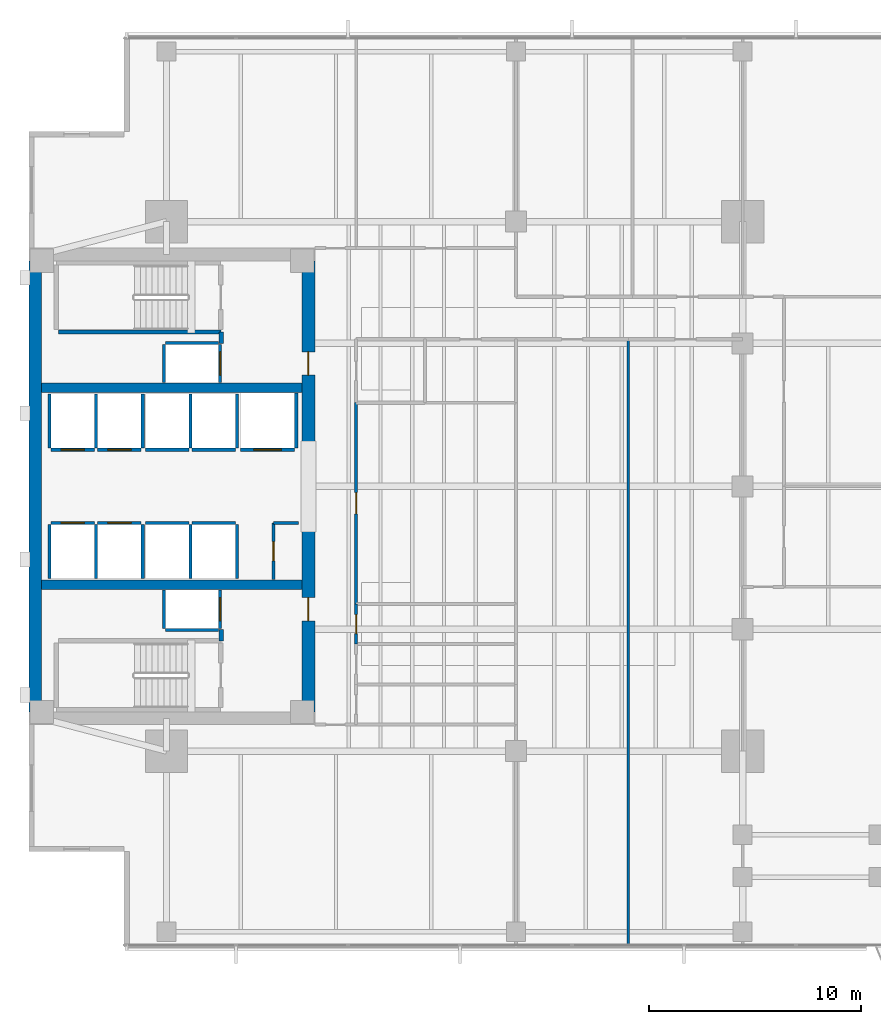
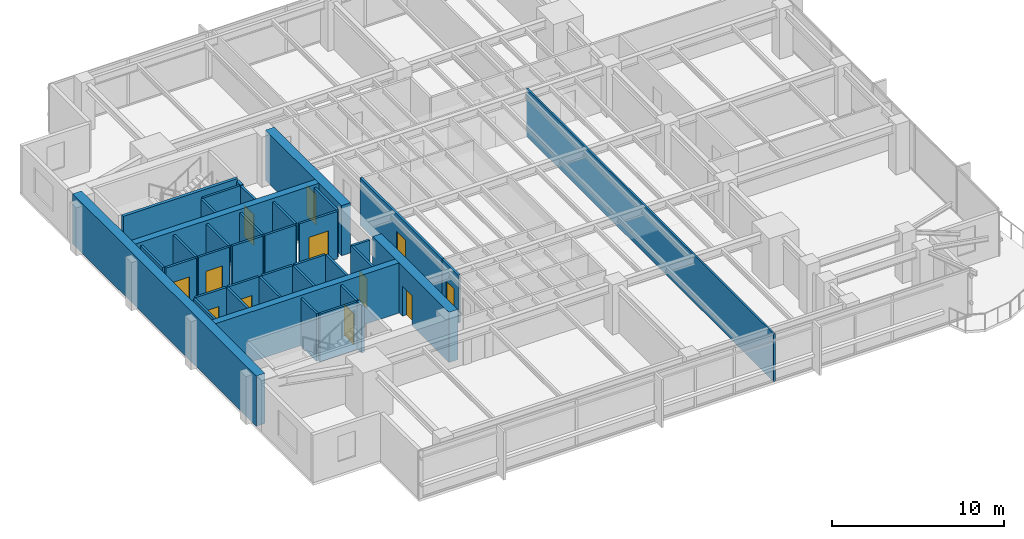
# One storey, part 8 of 14: 39 walls, 12 doors, 12 openings.
"""IFC4 building model written with IfcOpenShell, lengths in metres."""

from ifc_helpers import new_model, si_unit, direction, frame, frame_2d, origin, place, context, subcontext, project, spatial, rectangle, extrude, material, layer, layer_set, type_object, element, fill, save


model = new_model("IFC4")

# Units and contexts
model_context = context("Model", 3, precision=1e-05, world=origin(), true_north=direction((0.0, 1.0)))
body_context = subcontext(model_context, "Body", "Model", "MODEL_VIEW")
ifc_project = project(units=[si_unit("LENGTHUNIT", "METRE"), si_unit("AREAUNIT", "SQUARE_METRE"), si_unit("VOLUMEUNIT", "CUBIC_METRE"), si_unit("PLANEANGLEUNIT", "RADIAN"), si_unit("MASSUNIT", "GRAM", prefix="KILO")], contexts=[model_context])

# Site, building, storey
site_placement = place(None, origin())
site = spatial("IfcSite", under=ifc_project, at=site_placement, CompositionType="ELEMENT")
building_placement = place(site_placement, origin())
building = spatial("IfcBuilding", under=site, at=building_placement, Name="Kinhvarn Gate Tower", CompositionType="ELEMENT")
storey_placement = place(building_placement, frame((0.0, 0.0, 123.550048828125)))
storey = spatial("IfcBuildingStorey", under=building, at=storey_placement, Name="L32", CompositionType="ELEMENT", Elevation=123.550048828125)

# Walls
ifc_material_1 = material(Name="Concrete C50/60", Category="concrete")
ifc_layer_1 = layer(ifc_material_1, 0.449951171875)
ifc_layer_set_1 = layer_set([ifc_layer_1], Name="Concrete C50/60")
wall_type_1 = type_object("IfcWallType", Name="WL-CORE-450", PredefinedType="SHEAR", material=ifc_layer_set_1)
for number, where, z_axis, x_axis, name in (
    (1, (5.10009765625, 20.60009765625, 0.0), (0.0, 0.0, 1.0), (1.0, 0.0, 0.0), "Core South Spine Shear Wall L32 450 mm"),
    (2, (5.10009765625, 29.89990234375, 0.0), (0.0, 0.0, 1.0), (1.0, 0.0, 0.0), "Core North Spine Shear Wall L32 450 mm"),
):
    element("IfcWall", number, at=place(storey_placement, frame(where, z_axis=z_axis, x_axis=x_axis)), inside=storey, type_object=wall_type_1, Name=name, PredefinedType="SHEAR", context=body_context, shape_type="SweptSolid", body=[
        extrude(rectangle(XDim=12.2998046875, YDim=0.449951171875, at=frame_2d((6.14990234375, 0.0))), origin(), (0.0, 0.0, 1.0), 3.550048828125),
    ])

# Wall, opening, door
ifc_material_2 = material(Name="Concrete C60/75", Category="concrete")
ifc_layer_2 = layer(ifc_material_2, 0.60009765625)
ifc_layer_set_2 = layer_set([ifc_layer_2], Name="Concrete C60/75")
wall_type_2 = type_object("IfcWallType", Name="WL-CORE-600", PredefinedType="SHEAR", material=ifc_layer_set_2)
wall_1_placement = place(storey_placement, frame((17.699951171875, 14.60009765625, 0.0), z_axis=(0.0, 0.0, 1.0), x_axis=(0.0, 1.0, 0.0)))
wall_1 = element("IfcWall", 3, at=wall_1_placement, inside=storey, type_object=wall_type_2, Name="Core East-South Shear Pier L32 600 mm", PredefinedType="SHEAR", context=body_context, shape_type="SweptSolid", body=[
    extrude(rectangle(XDim=8.849853515625, YDim=0.60009765625, at=frame_2d((4.4248046875, 0.0))), origin(), (0.0, 0.0, 1.0), 3.550048828125),
])
opening_1_placement = place(wall_1_placement, frame((4.300048828125, 0.0, 0.0)))
opening_1 = element("IfcOpeningElement", 4, at=opening_1_placement, cuts=wall_1, Name="Opening FD-02", PredefinedType="OPENING", context=body_context, shape_type="SweptSolid", body=[
    extrude(rectangle(XDim=1.10009765625, YDim=2.14990234375, at=frame_2d((0.550048828125, 1.074951171875))), frame((0.0, 0.31005859375, 0.0), z_axis=(0.0, -1.0, 0.0), x_axis=(1.0, 0.0, 0.0)), (0.0, 0.0, 1.0), 0.6201171875),
])
ifc_material_3 = material(Name="Anodised aluminium AW-6063", Category="aluminium")
door_type_1 = type_object("IfcDoorType", Name="DR-FD-1100", OperationType="NOTDEFINED", PredefinedType="DOOR", material=ifc_material_3)
door_1_placement = place(opening_1_placement, origin())
door_1 = element("IfcDoor", 5, at=door_1_placement, inside=storey, type_object=door_type_1, Name="Firefighting Lobby Core Door (L32)", OperationType="SINGLE_SWING_RIGHT", OverallHeight=2.14990234375, OverallWidth=1.10009765625, PredefinedType="DOOR", context=body_context, shape_type="SweptSolid", body=[
    extrude(rectangle(XDim=1.10009765625, YDim=2.14990234375, at=frame_2d((0.550048828125, 1.074951171875))), frame((0.0, 0.02490234375, 0.0), z_axis=(0.0, -1.0, 0.0), x_axis=(1.0, 0.0, 0.0)), (0.0, 0.0, 1.0), 0.050048828125),
])
fill(opening_1, door_1)

wall_2_placement = place(storey_placement, frame((17.699951171875, 27.050048828125, 0.0), z_axis=(0.0, 0.0, 1.0), x_axis=(0.0, 1.0, 0.0)))
wall_2 = element("IfcWall", 6, at=wall_2_placement, inside=storey, type_object=wall_type_2, Name="Core East-North Shear Pier L32 600 mm", PredefinedType="SHEAR", context=body_context, shape_type="SweptSolid", body=[
    extrude(rectangle(XDim=8.849853515625, YDim=0.60009765625, at=frame_2d((4.4248046875, 0.0))), origin(), (0.0, 0.0, 1.0), 3.550048828125),
])
opening_2_placement = place(wall_2_placement, frame((3.449951171875, 0.0, 0.0)))
opening_2 = element("IfcOpeningElement", 7, at=opening_2_placement, cuts=wall_2, Name="Opening FD-02", PredefinedType="OPENING", context=body_context, shape_type="SweptSolid", body=[
    extrude(rectangle(XDim=1.10009765625, YDim=2.14990234375, at=frame_2d((0.550048828125, 1.074951171875))), frame((0.0, 0.31005859375, 0.0), z_axis=(0.0, -1.0, 0.0), x_axis=(1.0, 0.0, 0.0)), (0.0, 0.0, 1.0), 0.6201171875),
])
door_2_placement = place(opening_2_placement, origin())
door_2 = element("IfcDoor", 8, at=door_2_placement, inside=storey, type_object=door_type_1, Name="Firefighting Lobby Core Door (L32)", OperationType="SINGLE_SWING_LEFT", OverallHeight=2.14990234375, OverallWidth=1.10009765625, PredefinedType="DOOR", context=body_context, shape_type="SweptSolid", body=[
    extrude(rectangle(XDim=1.10009765625, YDim=2.14990234375, at=frame_2d((0.550048828125, 1.074951171875))), frame((0.0, 0.02490234375, 0.0), z_axis=(0.0, -1.0, 0.0), x_axis=(1.0, 0.0, 0.0)), (0.0, 0.0, 1.0), 0.050048828125),
])
fill(opening_2, door_2)

# Wall
ifc_layer_3 = layer(ifc_material_2, 0.60009765625)
ifc_layer_set_3 = layer_set([ifc_layer_3], Name="Concrete C60/75")
wall_type_3 = type_object("IfcWallType", Name="WL-COREX-600", PredefinedType="SHEAR", material=ifc_layer_set_3)
wall_3_placement = place(storey_placement, frame((4.800048828125, 14.60009765625, 0.0), z_axis=(0.0, 0.0, 1.0), x_axis=(0.0, 1.0, 0.0)))
element("IfcWall", 9, at=wall_3_placement, inside=storey, type_object=wall_type_3, Name="Core West Shear Wall L32 600 mm", PredefinedType="SHEAR", context=body_context, shape_type="SweptSolid", body=[
    extrude(rectangle(XDim=21.2998046875, YDim=0.60009765625, at=frame_2d((10.64990234375, 0.0))), origin(), (0.0, 0.0, 1.0), 3.550048828125),
])

# Wall, opening, door
ifc_material_4 = material(Name="Gypsum acoustic partition board")
ifc_layer_4 = layer(ifc_material_4, 0.14990234375)
ifc_layer_set_4 = layer_set([ifc_layer_4], Name="Gypsum acoustic partition board")
wall_type_4 = type_object("IfcWallType", Name="WL-PLM-150F", PredefinedType="PLUMBINGWALL", material=ifc_layer_set_4)
wall_4_placement = place(storey_placement, frame((19.949951171875, 17.800048828125, 0.0), z_axis=(0.0, 0.0, 1.0), x_axis=(0.0, 1.0, 0.0)))
wall_4 = element("IfcWall", 10, at=wall_4_placement, inside=storey, type_object=wall_type_4, Name="Interior Partition PLW-150F (L32)", PredefinedType="PLUMBINGWALL", context=body_context, shape_type="SweptSolid", body=[
    extrude(rectangle(XDim=1.89990234375, YDim=0.14990234375, at=frame_2d((0.949951171875, 0.0))), origin(), (0.0, 0.0, 1.0), 3.369873046875),
])
opening_3_placement = place(wall_4_placement, frame((0.5, 0.0, 0.0)))
opening_3 = element("IfcOpeningElement", 11, at=opening_3_placement, cuts=wall_4, Name="Opening FD-04", PredefinedType="OPENING", context=body_context, shape_type="SweptSolid", body=[
    extrude(rectangle(XDim=0.89990234375, YDim=2.10009765625, at=frame_2d((0.449951171875, 1.050048828125))), frame((0.0, 0.0849609375, 0.0), z_axis=(0.0, -1.0, 0.0), x_axis=(1.0, 0.0, 0.0)), (0.0, 0.0, 1.0), 0.169921875),
])
door_type_2 = type_object("IfcDoorType", Name="DR-FD-900", OperationType="NOTDEFINED", PredefinedType="DOOR", material=ifc_material_3)
door_3_placement = place(opening_3_placement, origin())
door_3 = element("IfcDoor", 12, at=door_3_placement, inside=storey, type_object=door_type_2, Name="Rated Riser & Service Closet Fire Door 900x2100 mm (L32)", OperationType="SINGLE_SWING_RIGHT", OverallHeight=2.10009765625, OverallWidth=0.89990234375, PredefinedType="DOOR", context=body_context, shape_type="SweptSolid", body=[
    extrude(rectangle(XDim=0.89990234375, YDim=2.10009765625, at=frame_2d((0.449951171875, 1.050048828125))), frame((0.0, 0.02490234375, 0.0), z_axis=(0.0, -1.0, 0.0), x_axis=(1.0, 0.0, 0.0)), (0.0, 0.0, 1.0), 0.050048828125),
])
fill(opening_3, door_3)

# Wall
ifc_layer_5 = layer(ifc_material_4, 0.1201171875)
ifc_layer_set_5 = layer_set([ifc_layer_5], Name="Gypsum acoustic partition board")
wall_type_5 = type_object("IfcWallType", Name="WL-PRT-120", PredefinedType="PARTITIONING", material=ifc_layer_set_5)
wall_5_placement = place(storey_placement, frame((32.800048828125, 3.510009765625, 0.0), z_axis=(0.0, 0.0, 1.0), x_axis=(0.0, 1.0, 0.0)))
element("IfcWall", 13, at=wall_5_placement, inside=storey, type_object=wall_type_5, Name="Interior Partition PW-120 (L32)", PredefinedType="PARTITIONING", context=body_context, shape_type="SweptSolid", body=[
    extrude(rectangle(XDim=28.68994140625, YDim=0.1201171875, at=frame_2d((14.344970703125, 0.0))), origin(), (0.0, 0.0, 1.0), 3.369873046875),
])

# Wall, opening, door
ifc_layer_6 = layer(ifc_material_4, 0.14990234375)
ifc_layer_set_6 = layer_set([ifc_layer_6], Name="Gypsum acoustic partition board")
wall_type_6 = type_object("IfcWallType", Name="WL-PRT-150F", PredefinedType="PARTITIONING", material=ifc_layer_set_6)
wall_6_placement = place(storey_placement, frame((16.050048828125, 20.85009765625, 0.0), z_axis=(0.0, 0.0, 1.0), x_axis=(0.0, 1.0, 0.0)))
wall_6 = element("IfcWall", 14, at=wall_6_placement, inside=storey, type_object=wall_type_6, Name="Interior Partition PW-150F (L32)", PredefinedType="PARTITIONING", context=body_context, shape_type="SweptSolid", body=[
    extrude(rectangle(XDim=2.669921875, YDim=0.14990234375, at=frame_2d((1.3349609375, 0.0))), origin(), (0.0, 0.0, 1.0), 3.369873046875),
])
opening_4_placement = place(wall_6_placement, frame((0.885009765625, 0.0, 0.0)))
opening_4 = element("IfcOpeningElement", 15, at=opening_4_placement, cuts=wall_6, Name="Opening FD-04", PredefinedType="OPENING", context=body_context, shape_type="SweptSolid", body=[
    extrude(rectangle(XDim=0.89990234375, YDim=2.10009765625, at=frame_2d((0.449951171875, 1.050048828125))), frame((0.0, 0.0849609375, 0.0), z_axis=(0.0, -1.0, 0.0), x_axis=(1.0, 0.0, 0.0)), (0.0, 0.0, 1.0), 0.169921875),
])
door_4_placement = place(opening_4_placement, origin())
door_4 = element("IfcDoor", 16, at=door_4_placement, inside=storey, type_object=door_type_2, Name="Rated Riser & Service Closet Fire Door 900x2100 mm (L32)", OperationType="SINGLE_SWING_LEFT", OverallHeight=2.10009765625, OverallWidth=0.89990234375, PredefinedType="DOOR", context=body_context, shape_type="SweptSolid", body=[
    extrude(rectangle(XDim=0.89990234375, YDim=2.10009765625, at=frame_2d((0.449951171875, 1.050048828125))), frame((0.0, 0.02490234375, 0.0), z_axis=(0.0, -1.0, 0.0), x_axis=(1.0, 0.0, 0.0)), (0.0, 0.0, 1.0), 0.050048828125),
])
fill(opening_4, door_4)

# Wall
wall_7_placement = place(storey_placement, frame((16.050048828125, 23.52001953125, 0.0), z_axis=(0.0, 0.0, 1.0), x_axis=(1.0, 0.0, 0.0)))
element("IfcWall", 17, at=wall_7_placement, inside=storey, type_object=wall_type_6, Name="Interior Partition PW-150F (L32)", PredefinedType="PARTITIONING", context=body_context, shape_type="SweptSolid", body=[
    extrude(rectangle(XDim=1.169921875, YDim=0.14990234375, at=frame_2d((0.5849609375, 0.0))), origin(), (0.0, 0.0, 1.0), 3.369873046875),
])

# Wall, opening, door
wall_8_placement = place(storey_placement, frame((19.949951171875, 19.699951171875, 0.0), z_axis=(0.0, 0.0, 1.0), x_axis=(0.0, 1.0, 0.0)))
wall_8 = element("IfcWall", 18, at=wall_8_placement, inside=storey, type_object=wall_type_6, Name="Interior Partition PW-150F (L32)", PredefinedType="PARTITIONING", context=body_context, shape_type="SweptSolid", body=[
    extrude(rectangle(XDim=9.5, YDim=0.14990234375, at=frame_2d((4.75, 0.0))), origin(), (0.0, 0.0, 1.0), 3.369873046875),
])
opening_5_placement = place(wall_8_placement, frame((4.25, 0.0, 0.0)))
opening_5 = element("IfcOpeningElement", 19, at=opening_5_placement, cuts=wall_8, Name="Opening ID-02", PredefinedType="OPENING", context=body_context, shape_type="SweptSolid", body=[
    extrude(rectangle(XDim=1.0, YDim=2.14990234375, at=frame_2d((0.5, 1.074951171875))), frame((0.0, 0.0849609375, 0.0), z_axis=(0.0, -1.0, 0.0), x_axis=(1.0, 0.0, 0.0)), (0.0, 0.0, 1.0), 0.169921875),
])
door_type_3 = type_object("IfcDoorType", Name="DR-INT-1000", OperationType="NOTDEFINED", PredefinedType="DOOR", material=ifc_material_3)
door_5_placement = place(opening_5_placement, origin())
door_5 = element("IfcDoor", 20, at=door_5_placement, inside=storey, type_object=door_type_3, Name="Standard Office & Meeting Room Door 1000x2150 mm (L32)", OperationType="SINGLE_SWING_LEFT", OverallHeight=2.14990234375, OverallWidth=1.0, PredefinedType="DOOR", context=body_context, shape_type="SweptSolid", body=[
    extrude(rectangle(XDim=1.0, YDim=2.14990234375, at=frame_2d((0.5, 1.074951171875))), frame((0.0, 0.02490234375, 0.0), z_axis=(0.0, -1.0, 0.0), x_axis=(1.0, 0.0, 0.0)), (0.0, 0.0, 1.0), 0.050048828125),
])
fill(opening_5, door_5)

# Walls
ifc_layer_7 = layer(ifc_material_4, 0.199951171875)
ifc_layer_set_7 = layer_set([ifc_layer_7], Name="Gypsum acoustic partition board")
wall_type_7 = type_object("IfcWallType", Name="WL-PRT-200", PredefinedType="PARTITIONING", material=ifc_layer_set_7)
for number, where, z_axis, x_axis, name in (
    (21, (13.580078125, 17.9599609375, 0.0), (0.0, 0.0, 1.0), (0.0, 1.0, 0.0), "Interior Partition PW-200 (L32)"),
    (22, (13.580078125, 32.0, 0.0), (0.0, 0.0, 1.0), (0.0, 1.0, 0.0), "Interior Partition PW-200 (L32)"),
):
    element("IfcWall", number, at=place(storey_placement, frame(where, z_axis=z_axis, x_axis=x_axis)), inside=storey, type_object=wall_type_7, Name=name, PredefinedType="PARTITIONING", context=body_context, shape_type="SweptSolid", body=[
        extrude(rectangle(XDim=0.5400390625, YDim=0.199951171875, at=frame_2d((0.27001953125, 0.0))), origin(), (0.0, 0.0, 1.0), 3.369873046875),
    ])

# Wall, opening, door
ifc_layer_8 = layer(ifc_material_4, 0.14990234375)
ifc_layer_set_8 = layer_set([ifc_layer_8], Name="Gypsum acoustic partition board")
wall_type_8 = type_object("IfcWallType", Name="WL-SHF-150", PredefinedType="PARTITIONING", material=ifc_layer_set_8)
wall_9_placement = place(storey_placement, frame((5.550048828125, 23.52490234375, 0.0), z_axis=(0.0, 0.0, 1.0), x_axis=(1.0, 0.0, 0.0)))
wall_9 = element("IfcWall", 23, at=wall_9_placement, inside=storey, type_object=wall_type_8, Name="Elevator PM-05 Landing Wall (L32)", PredefinedType="PARTITIONING", context=body_context, shape_type="SweptSolid", body=[
    extrude(rectangle(XDim=2.050048828125, YDim=0.14990234375, at=frame_2d((1.02490234375, 0.0))), origin(), (0.0, 0.0, 1.0), 3.369873046875),
])
opening_6_placement = place(wall_9_placement, frame((0.47509765625, 0.0, 0.0)))
opening_6 = element("IfcOpeningElement", 24, at=opening_6_placement, cuts=wall_9, Name="Opening LD-01", PredefinedType="OPENING", context=body_context, shape_type="SweptSolid", body=[
    extrude(rectangle(XDim=1.10009765625, YDim=2.199951171875, at=frame_2d((0.550048828125, 1.10009765625))), frame((0.0, 0.0849609375, 0.0), z_axis=(0.0, -1.0, 0.0), x_axis=(1.0, 0.0, 0.0)), (0.0, 0.0, 1.0), 0.169921875),
])
door_type_4 = type_object("IfcDoorType", Name="DR-LND-PAS", OperationType="NOTDEFINED", PredefinedType="DOOR", material=ifc_material_3)
door_6_placement = place(opening_6_placement, origin())
door_6 = element("IfcDoor", 25, at=door_6_placement, inside=storey, type_object=door_type_4, Name="Elevator PM-05 Sliding Landing Door (L32)", OperationType="DOUBLE_DOOR_SLIDING", OverallHeight=2.199951171875, OverallWidth=1.10009765625, PredefinedType="DOOR", context=body_context, shape_type="SweptSolid", body=[
    extrude(rectangle(XDim=1.10009765625, YDim=2.199951171875, at=frame_2d((0.550048828125, 1.10009765625))), frame((0.0, 0.02490234375, 0.0), z_axis=(0.0, -1.0, 0.0), x_axis=(1.0, 0.0, 0.0)), (0.0, 0.0, 1.0), 0.050048828125),
])
fill(opening_6, door_6)

# Walls
for number, where, z_axis, x_axis, name in (
    (26, (5.47509765625, 20.89990234375, 0.0), (0.0, 0.0, 1.0), (0.0, 1.0, 0.0), "Elevator PM-05 Hoistway Wall W (L32)"),
    (27, (7.675048828125, 20.89990234375, 0.0), (0.0, 0.0, 1.0), (0.0, 1.0, 0.0), "Elevator PM-05 Hoistway Wall E (L32)"),
):
    element("IfcWall", number, at=place(storey_placement, frame(where, z_axis=z_axis, x_axis=x_axis)), inside=storey, type_object=wall_type_8, Name=name, PredefinedType="PARTITIONING", context=body_context, shape_type="SweptSolid", body=[
        extrude(rectangle(XDim=2.550048828125, YDim=0.14990234375, at=frame_2d((1.27490234375, 0.0))), origin(), (0.0, 0.0, 1.0), 3.369873046875),
    ])

# Wall, opening, door
wall_10_placement = place(storey_placement, frame((7.75, 23.52490234375, 0.0), z_axis=(0.0, 0.0, 1.0), x_axis=(1.0, 0.0, 0.0)))
wall_10 = element("IfcWall", 28, at=wall_10_placement, inside=storey, type_object=wall_type_8, Name="Elevator PM-06 Landing Wall (L32)", PredefinedType="PARTITIONING", context=body_context, shape_type="SweptSolid", body=[
    extrude(rectangle(XDim=2.050048828125, YDim=0.14990234375, at=frame_2d((1.02490234375, 0.0))), origin(), (0.0, 0.0, 1.0), 3.369873046875),
])
opening_7_placement = place(wall_10_placement, frame((0.47509765625, 0.0, 0.0)))
opening_7 = element("IfcOpeningElement", 29, at=opening_7_placement, cuts=wall_10, Name="Opening LD-01", PredefinedType="OPENING", context=body_context, shape_type="SweptSolid", body=[
    extrude(rectangle(XDim=1.10009765625, YDim=2.199951171875, at=frame_2d((0.550048828125, 1.10009765625))), frame((0.0, 0.0849609375, 0.0), z_axis=(0.0, -1.0, 0.0), x_axis=(1.0, 0.0, 0.0)), (0.0, 0.0, 1.0), 0.169921875),
])
door_7_placement = place(opening_7_placement, origin())
door_7 = element("IfcDoor", 30, at=door_7_placement, inside=storey, type_object=door_type_4, Name="Elevator PM-06 Sliding Landing Door (L32)", OperationType="DOUBLE_DOOR_SLIDING", OverallHeight=2.199951171875, OverallWidth=1.10009765625, PredefinedType="DOOR", context=body_context, shape_type="SweptSolid", body=[
    extrude(rectangle(XDim=1.10009765625, YDim=2.199951171875, at=frame_2d((0.550048828125, 1.10009765625))), frame((0.0, 0.02490234375, 0.0), z_axis=(0.0, -1.0, 0.0), x_axis=(1.0, 0.0, 0.0)), (0.0, 0.0, 1.0), 0.050048828125),
])
fill(opening_7, door_7)

# Wall
wall_11_placement = place(storey_placement, frame((9.875, 20.89990234375, 0.0), z_axis=(0.0, 0.0, 1.0), x_axis=(0.0, 1.0, 0.0)))
element("IfcWall", 31, at=wall_11_placement, inside=storey, type_object=wall_type_8, Name="Elevator PM-06 Hoistway Wall E (L32)", PredefinedType="PARTITIONING", context=body_context, shape_type="SweptSolid", body=[
    extrude(rectangle(XDim=2.550048828125, YDim=0.14990234375, at=frame_2d((1.27490234375, 0.0))), origin(), (0.0, 0.0, 1.0), 3.369873046875),
])

# Wall, opening, door
wall_12_placement = place(storey_placement, frame((5.550048828125, 26.97509765625, 0.0), z_axis=(0.0, 0.0, 1.0), x_axis=(1.0, 0.0, 0.0)))
wall_12 = element("IfcWall", 32, at=wall_12_placement, inside=storey, type_object=wall_type_8, Name="Elevator PM-07 Landing Wall (L32)", PredefinedType="PARTITIONING", context=body_context, shape_type="SweptSolid", body=[
    extrude(rectangle(XDim=2.050048828125, YDim=0.14990234375, at=frame_2d((1.02490234375, 0.0))), origin(), (0.0, 0.0, 1.0), 3.369873046875),
])
opening_8_placement = place(wall_12_placement, frame((0.47509765625, 0.0, 0.0)))
opening_8 = element("IfcOpeningElement", 33, at=opening_8_placement, cuts=wall_12, Name="Opening LD-01", PredefinedType="OPENING", context=body_context, shape_type="SweptSolid", body=[
    extrude(rectangle(XDim=1.10009765625, YDim=2.199951171875, at=frame_2d((0.550048828125, 1.10009765625))), frame((0.0, 0.0849609375, 0.0), z_axis=(0.0, -1.0, 0.0), x_axis=(1.0, 0.0, 0.0)), (0.0, 0.0, 1.0), 0.169921875),
])
door_8_placement = place(opening_8_placement, origin())
door_8 = element("IfcDoor", 34, at=door_8_placement, inside=storey, type_object=door_type_4, Name="Elevator PM-07 Sliding Landing Door (L32)", OperationType="DOUBLE_DOOR_SLIDING", OverallHeight=2.199951171875, OverallWidth=1.10009765625, PredefinedType="DOOR", context=body_context, shape_type="SweptSolid", body=[
    extrude(rectangle(XDim=1.10009765625, YDim=2.199951171875, at=frame_2d((0.550048828125, 1.10009765625))), frame((0.0, 0.02490234375, 0.0), z_axis=(0.0, -1.0, 0.0), x_axis=(1.0, 0.0, 0.0)), (0.0, 0.0, 1.0), 0.050048828125),
])
fill(opening_8, door_8)

# Walls
for number, where, z_axis, x_axis, name in (
    (35, (5.47509765625, 27.050048828125, 0.0), (0.0, 0.0, 1.0), (0.0, 1.0, 0.0), "Elevator PM-07 Hoistway Wall W (L32)"),
    (36, (7.675048828125, 27.050048828125, 0.0), (0.0, 0.0, 1.0), (0.0, 1.0, 0.0), "Elevator PM-07 Hoistway Wall E (L32)"),
):
    element("IfcWall", number, at=place(storey_placement, frame(where, z_axis=z_axis, x_axis=x_axis)), inside=storey, type_object=wall_type_8, Name=name, PredefinedType="PARTITIONING", context=body_context, shape_type="SweptSolid", body=[
        extrude(rectangle(XDim=2.550048828125, YDim=0.14990234375, at=frame_2d((1.27490234375, 0.0))), origin(), (0.0, 0.0, 1.0), 3.369873046875),
    ])

# Wall, opening, door
wall_13_placement = place(storey_placement, frame((7.75, 26.97509765625, 0.0), z_axis=(0.0, 0.0, 1.0), x_axis=(1.0, 0.0, 0.0)))
wall_13 = element("IfcWall", 37, at=wall_13_placement, inside=storey, type_object=wall_type_8, Name="Elevator PM-08 Landing Wall (L32)", PredefinedType="PARTITIONING", context=body_context, shape_type="SweptSolid", body=[
    extrude(rectangle(XDim=2.050048828125, YDim=0.14990234375, at=frame_2d((1.02490234375, 0.0))), origin(), (0.0, 0.0, 1.0), 3.369873046875),
])
opening_9_placement = place(wall_13_placement, frame((0.47509765625, 0.0, 0.0)))
opening_9 = element("IfcOpeningElement", 38, at=opening_9_placement, cuts=wall_13, Name="Opening LD-01", PredefinedType="OPENING", context=body_context, shape_type="SweptSolid", body=[
    extrude(rectangle(XDim=1.10009765625, YDim=2.199951171875, at=frame_2d((0.550048828125, 1.10009765625))), frame((0.0, 0.0849609375, 0.0), z_axis=(0.0, -1.0, 0.0), x_axis=(1.0, 0.0, 0.0)), (0.0, 0.0, 1.0), 0.169921875),
])
door_9_placement = place(opening_9_placement, origin())
door_9 = element("IfcDoor", 39, at=door_9_placement, inside=storey, type_object=door_type_4, Name="Elevator PM-08 Sliding Landing Door (L32)", OperationType="DOUBLE_DOOR_SLIDING", OverallHeight=2.199951171875, OverallWidth=1.10009765625, PredefinedType="DOOR", context=body_context, shape_type="SweptSolid", body=[
    extrude(rectangle(XDim=1.10009765625, YDim=2.199951171875, at=frame_2d((0.550048828125, 1.10009765625))), frame((0.0, 0.02490234375, 0.0), z_axis=(0.0, -1.0, 0.0), x_axis=(1.0, 0.0, 0.0)), (0.0, 0.0, 1.0), 0.050048828125),
])
fill(opening_9, door_9)

# Walls
wall_14_placement = place(storey_placement, frame((9.875, 27.050048828125, 0.0), z_axis=(0.0, 0.0, 1.0), x_axis=(0.0, 1.0, 0.0)))
element("IfcWall", 40, at=wall_14_placement, inside=storey, type_object=wall_type_8, Name="Elevator PM-08 Hoistway Wall E (L32)", PredefinedType="PARTITIONING", context=body_context, shape_type="SweptSolid", body=[
    extrude(rectangle(XDim=2.550048828125, YDim=0.14990234375, at=frame_2d((1.27490234375, 0.0))), origin(), (0.0, 0.0, 1.0), 3.369873046875),
])
wall_15_placement = place(storey_placement, frame((10.0, 23.52490234375, 0.0), z_axis=(0.0, 0.0, 1.0), x_axis=(1.0, 0.0, 0.0)))
element("IfcWall", 41, at=wall_15_placement, inside=storey, type_object=wall_type_8, Name="Elevator PH-09 Landing Wall (L32)", PredefinedType="PARTITIONING", context=body_context, shape_type="SweptSolid", body=[
    extrude(rectangle(XDim=2.050048828125, YDim=0.14990234375, at=frame_2d((1.02490234375, 0.0))), origin(), (0.0, 0.0, 1.0), 3.369873046875),
])
wall_16_placement = place(storey_placement, frame((12.125, 20.89990234375, 0.0), z_axis=(0.0, 0.0, 1.0), x_axis=(0.0, 1.0, 0.0)))
element("IfcWall", 42, at=wall_16_placement, inside=storey, type_object=wall_type_8, Name="Elevator PH-09 Hoistway Wall E (L32)", PredefinedType="PARTITIONING", context=body_context, shape_type="SweptSolid", body=[
    extrude(rectangle(XDim=2.550048828125, YDim=0.14990234375, at=frame_2d((1.27490234375, 0.0))), origin(), (0.0, 0.0, 1.0), 3.369873046875),
])
wall_17_placement = place(storey_placement, frame((12.199951171875, 23.52490234375, 0.0), z_axis=(0.0, 0.0, 1.0), x_axis=(1.0, 0.0, 0.0)))
element("IfcWall", 43, at=wall_17_placement, inside=storey, type_object=wall_type_8, Name="Elevator PH-10 Landing Wall (L32)", PredefinedType="PARTITIONING", context=body_context, shape_type="SweptSolid", body=[
    extrude(rectangle(XDim=2.050048828125, YDim=0.14990234375, at=frame_2d((1.02490234375, 0.0))), origin(), (0.0, 0.0, 1.0), 3.369873046875),
])
wall_18_placement = place(storey_placement, frame((14.324951171875, 20.89990234375, 0.0), z_axis=(0.0, 0.0, 1.0), x_axis=(0.0, 1.0, 0.0)))
element("IfcWall", 44, at=wall_18_placement, inside=storey, type_object=wall_type_8, Name="Elevator PH-10 Hoistway Wall E (L32)", PredefinedType="PARTITIONING", context=body_context, shape_type="SweptSolid", body=[
    extrude(rectangle(XDim=2.550048828125, YDim=0.14990234375, at=frame_2d((1.27490234375, 0.0))), origin(), (0.0, 0.0, 1.0), 3.369873046875),
])
wall_19_placement = place(storey_placement, frame((10.0, 26.97509765625, 0.0), z_axis=(0.0, 0.0, 1.0), x_axis=(1.0, 0.0, 0.0)))
element("IfcWall", 45, at=wall_19_placement, inside=storey, type_object=wall_type_8, Name="Elevator PH-11 Landing Wall (L32)", PredefinedType="PARTITIONING", context=body_context, shape_type="SweptSolid", body=[
    extrude(rectangle(XDim=2.050048828125, YDim=0.14990234375, at=frame_2d((1.02490234375, 0.0))), origin(), (0.0, 0.0, 1.0), 3.369873046875),
])
wall_20_placement = place(storey_placement, frame((12.125, 27.050048828125, 0.0), z_axis=(0.0, 0.0, 1.0), x_axis=(0.0, 1.0, 0.0)))
element("IfcWall", 46, at=wall_20_placement, inside=storey, type_object=wall_type_8, Name="Elevator PH-11 Hoistway Wall E (L32)", PredefinedType="PARTITIONING", context=body_context, shape_type="SweptSolid", body=[
    extrude(rectangle(XDim=2.550048828125, YDim=0.14990234375, at=frame_2d((1.27490234375, 0.0))), origin(), (0.0, 0.0, 1.0), 3.369873046875),
])
wall_21_placement = place(storey_placement, frame((12.199951171875, 26.97509765625, 0.0), z_axis=(0.0, 0.0, 1.0), x_axis=(1.0, 0.0, 0.0)))
element("IfcWall", 47, at=wall_21_placement, inside=storey, type_object=wall_type_8, Name="Elevator PH-12 Landing Wall (L32)", PredefinedType="PARTITIONING", context=body_context, shape_type="SweptSolid", body=[
    extrude(rectangle(XDim=2.050048828125, YDim=0.14990234375, at=frame_2d((1.02490234375, 0.0))), origin(), (0.0, 0.0, 1.0), 3.369873046875),
])
wall_22_placement = place(storey_placement, frame((14.324951171875, 27.050048828125, 0.0), z_axis=(0.0, 0.0, 1.0), x_axis=(0.0, 1.0, 0.0)))
element("IfcWall", 48, at=wall_22_placement, inside=storey, type_object=wall_type_8, Name="Elevator PH-12 Hoistway Wall E (L32)", PredefinedType="PARTITIONING", context=body_context, shape_type="SweptSolid", body=[
    extrude(rectangle(XDim=2.550048828125, YDim=0.14990234375, at=frame_2d((1.27490234375, 0.0))), origin(), (0.0, 0.0, 1.0), 3.369873046875),
])

# Wall, opening, door
wall_23_placement = place(storey_placement, frame((14.5, 26.97509765625, 0.0), z_axis=(0.0, 0.0, 1.0), x_axis=(1.0, 0.0, 0.0)))
wall_23 = element("IfcWall", 49, at=wall_23_placement, inside=storey, type_object=wall_type_8, Name="Elevator SV-01 Landing Wall (L32)", PredefinedType="PARTITIONING", context=body_context, shape_type="SweptSolid", body=[
    extrude(rectangle(XDim=2.550048828125, YDim=0.14990234375, at=frame_2d((1.27490234375, 0.0))), origin(), (0.0, 0.0, 1.0), 3.369873046875),
])
opening_10_placement = place(wall_23_placement, frame((0.625, 0.0, 0.0)))
opening_10 = element("IfcOpeningElement", 50, at=opening_10_placement, cuts=wall_23, Name="Opening LD-02", PredefinedType="OPENING", context=body_context, shape_type="SweptSolid", body=[
    extrude(rectangle(XDim=1.300048828125, YDim=2.199951171875, at=frame_2d((0.64990234375, 1.10009765625))), frame((0.0, 0.0849609375, 0.0), z_axis=(0.0, -1.0, 0.0), x_axis=(1.0, 0.0, 0.0)), (0.0, 0.0, 1.0), 0.169921875),
])
door_type_5 = type_object("IfcDoorType", Name="DR-LND-SRV", OperationType="NOTDEFINED", PredefinedType="DOOR", material=ifc_material_3)
door_10_placement = place(opening_10_placement, origin())
door_10 = element("IfcDoor", 51, at=door_10_placement, inside=storey, type_object=door_type_5, Name="Elevator SV-01 Sliding Landing Door (L32)", OperationType="DOUBLE_DOOR_SLIDING", OverallHeight=2.199951171875, OverallWidth=1.300048828125, PredefinedType="DOOR", context=body_context, shape_type="SweptSolid", body=[
    extrude(rectangle(XDim=1.300048828125, YDim=2.199951171875, at=frame_2d((0.64990234375, 1.10009765625))), frame((0.0, 0.02490234375, 0.0), z_axis=(0.0, -1.0, 0.0), x_axis=(1.0, 0.0, 0.0)), (0.0, 0.0, 1.0), 0.050048828125),
])
fill(opening_10, door_10)

# Walls
wall_24_placement = place(storey_placement, frame((17.125, 27.050048828125, 0.0), z_axis=(0.0, 0.0, 1.0), x_axis=(0.0, 1.0, 0.0)))
element("IfcWall", 52, at=wall_24_placement, inside=storey, type_object=wall_type_8, Name="Elevator SV-01 Hoistway Wall E (L32)", PredefinedType="PARTITIONING", context=body_context, shape_type="SweptSolid", body=[
    extrude(rectangle(XDim=2.599853515625, YDim=0.14990234375, at=frame_2d((1.2998046875, 0.0))), origin(), (0.0, 0.0, 1.0), 3.369873046875),
])
wall_25_placement = place(storey_placement, frame((10.949951171875, 18.47509765625, 0.0), z_axis=(0.0, 0.0, 1.0), x_axis=(1.0, 0.0, 0.0)))
element("IfcWall", 53, at=wall_25_placement, inside=storey, type_object=wall_type_8, Name="Elevator FF1 Hoistway Wall S (L32)", PredefinedType="PARTITIONING", context=body_context, shape_type="SweptSolid", body=[
    extrude(rectangle(XDim=2.5, YDim=0.14990234375, at=frame_2d((1.25, 0.0))), origin(), (0.0, 0.0, 1.0), 3.369873046875),
])
wall_26_placement = place(storey_placement, frame((10.875, 18.550048828125, 0.0), z_axis=(0.0, 0.0, 1.0), x_axis=(0.0, 1.0, 0.0)))
element("IfcWall", 54, at=wall_26_placement, inside=storey, type_object=wall_type_8, Name="Elevator FF1 Hoistway Wall W (L32)", PredefinedType="PARTITIONING", context=body_context, shape_type="SweptSolid", body=[
    extrude(rectangle(XDim=1.800048828125, YDim=0.14990234375, at=frame_2d((0.89990234375, 0.0))), origin(), (0.0, 0.0, 1.0), 3.369873046875),
])

# Wall, opening, door
wall_27_placement = place(storey_placement, frame((13.52490234375, 18.550048828125, 0.0), z_axis=(0.0, 0.0, 1.0), x_axis=(0.0, 1.0, 0.0)))
wall_27 = element("IfcWall", 55, at=wall_27_placement, inside=storey, type_object=wall_type_8, Name="Elevator FF1 Landing Wall (L32)", PredefinedType="PARTITIONING", context=body_context, shape_type="SweptSolid", body=[
    extrude(rectangle(XDim=1.800048828125, YDim=0.14990234375, at=frame_2d((0.89990234375, 0.0))), origin(), (0.0, 0.0, 1.0), 3.369873046875),
])
opening_11_placement = place(wall_27_placement, frame((0.35009765625, 0.0, 0.0)))
opening_11 = element("IfcOpeningElement", 56, at=opening_11_placement, cuts=wall_27, Name="Opening LD-03", PredefinedType="OPENING", context=body_context, shape_type="SweptSolid", body=[
    extrude(rectangle(XDim=1.10009765625, YDim=2.199951171875, at=frame_2d((0.550048828125, 1.10009765625))), frame((0.0, 0.0849609375, 0.0), z_axis=(0.0, -1.0, 0.0), x_axis=(1.0, 0.0, 0.0)), (0.0, 0.0, 1.0), 0.169921875),
])
door_type_6 = type_object("IfcDoorType", Name="DR-LND-FF", OperationType="NOTDEFINED", PredefinedType="DOOR", material=ifc_material_3)
door_11_placement = place(opening_11_placement, origin())
door_11 = element("IfcDoor", 57, at=door_11_placement, inside=storey, type_object=door_type_6, Name="Elevator FF1 Sliding Landing Door (L32)", OperationType="DOUBLE_DOOR_SLIDING", OverallHeight=2.199951171875, OverallWidth=1.10009765625, PredefinedType="DOOR", context=body_context, shape_type="SweptSolid", body=[
    extrude(rectangle(XDim=1.10009765625, YDim=2.199951171875, at=frame_2d((0.550048828125, 1.10009765625))), frame((0.0, 0.02490234375, 0.0), z_axis=(0.0, -1.0, 0.0), x_axis=(1.0, 0.0, 0.0)), (0.0, 0.0, 1.0), 0.050048828125),
])
fill(opening_11, door_11)

# Walls
wall_28_placement = place(storey_placement, frame((10.949951171875, 32.02490234375, 0.0), z_axis=(0.0, 0.0, 1.0), x_axis=(1.0, 0.0, 0.0)))
element("IfcWall", 58, at=wall_28_placement, inside=storey, type_object=wall_type_8, Name="Elevator FF2 Hoistway Wall N (L32)", PredefinedType="PARTITIONING", context=body_context, shape_type="SweptSolid", body=[
    extrude(rectangle(XDim=2.5, YDim=0.14990234375, at=frame_2d((1.25, 0.0))), origin(), (0.0, 0.0, 1.0), 3.369873046875),
])
wall_29_placement = place(storey_placement, frame((10.875, 30.14990234375, 0.0), z_axis=(0.0, 0.0, 1.0), x_axis=(0.0, 1.0, 0.0)))
element("IfcWall", 59, at=wall_29_placement, inside=storey, type_object=wall_type_8, Name="Elevator FF2 Hoistway Wall W (L32)", PredefinedType="PARTITIONING", context=body_context, shape_type="SweptSolid", body=[
    extrude(rectangle(XDim=1.800048828125, YDim=0.14990234375, at=frame_2d((0.89990234375, 0.0))), origin(), (0.0, 0.0, 1.0), 3.369873046875),
])

# Wall, opening, door
wall_30_placement = place(storey_placement, frame((13.52490234375, 30.14990234375, 0.0), z_axis=(0.0, 0.0, 1.0), x_axis=(0.0, 1.0, 0.0)))
wall_30 = element("IfcWall", 60, at=wall_30_placement, inside=storey, type_object=wall_type_8, Name="Elevator FF2 Landing Wall (L32)", PredefinedType="PARTITIONING", context=body_context, shape_type="SweptSolid", body=[
    extrude(rectangle(XDim=1.800048828125, YDim=0.14990234375, at=frame_2d((0.89990234375, 0.0))), origin(), (0.0, 0.0, 1.0), 3.369873046875),
])
opening_12_placement = place(wall_30_placement, frame((0.35009765625, 0.0, 0.0)))
opening_12 = element("IfcOpeningElement", 61, at=opening_12_placement, cuts=wall_30, Name="Opening LD-03", PredefinedType="OPENING", context=body_context, shape_type="SweptSolid", body=[
    extrude(rectangle(XDim=1.10009765625, YDim=2.199951171875, at=frame_2d((0.550048828125, 1.10009765625))), frame((0.0, 0.0849609375, 0.0), z_axis=(0.0, -1.0, 0.0), x_axis=(1.0, 0.0, 0.0)), (0.0, 0.0, 1.0), 0.169921875),
])
door_12_placement = place(opening_12_placement, origin())
door_12 = element("IfcDoor", 62, at=door_12_placement, inside=storey, type_object=door_type_6, Name="Elevator FF2 Sliding Landing Door (L32)", OperationType="DOUBLE_DOOR_SLIDING", OverallHeight=2.199951171875, OverallWidth=1.10009765625, PredefinedType="DOOR", context=body_context, shape_type="SweptSolid", body=[
    extrude(rectangle(XDim=1.10009765625, YDim=2.199951171875, at=frame_2d((0.550048828125, 1.10009765625))), frame((0.0, 0.02490234375, 0.0), z_axis=(0.0, -1.0, 0.0), x_axis=(1.0, 0.0, 0.0)), (0.0, 0.0, 1.0), 0.050048828125),
])
fill(opening_12, door_12)

# Wall
ifc_material_5 = material(Name="Concrete C40/50", Category="concrete")
ifc_layer_9 = layer(ifc_material_5, 0.199951171875)
ifc_layer_set_9 = layer_set([ifc_layer_9], Name="Concrete C40/50")
wall_type_9 = type_object("IfcWallType", Name="WL-SHF-200", PredefinedType="SOLIDWALL", material=ifc_layer_set_9)
wall_31_placement = place(storey_placement, frame((5.89990234375, 32.5400390625, 0.0), z_axis=(0.0, 0.0, 1.0), x_axis=(1.0, 0.0, 0.0)))
element("IfcWall", 63, at=wall_31_placement, inside=storey, type_object=wall_type_9, Name="Stair ST2 South Shaft Wall (L32)", PredefinedType="SOLIDWALL", context=body_context, shape_type="SweptSolid", body=[
    extrude(rectangle(XDim=7.66015625, YDim=0.199951171875, at=frame_2d((3.830078125, 0.0))), origin(), (0.0, 0.0, 1.0), 3.550048828125),
])

save(model, "model.ifc")
